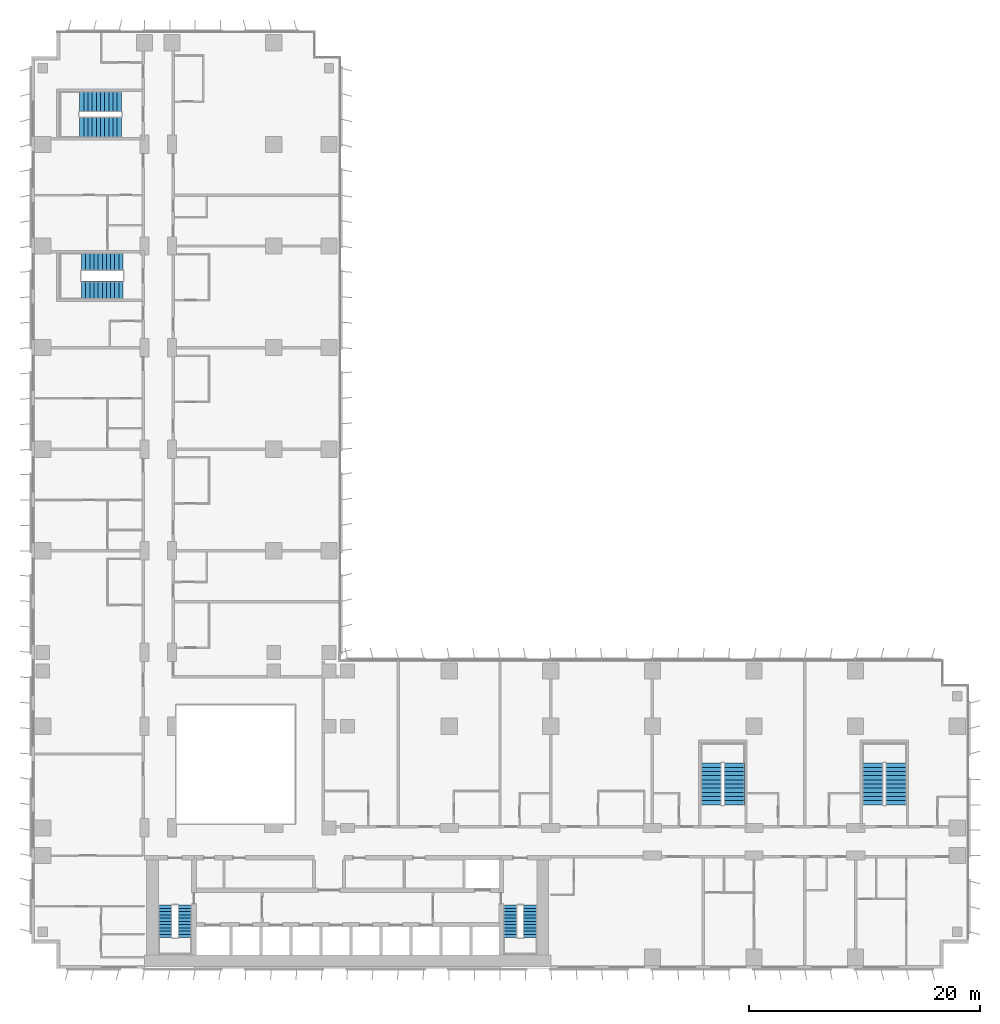
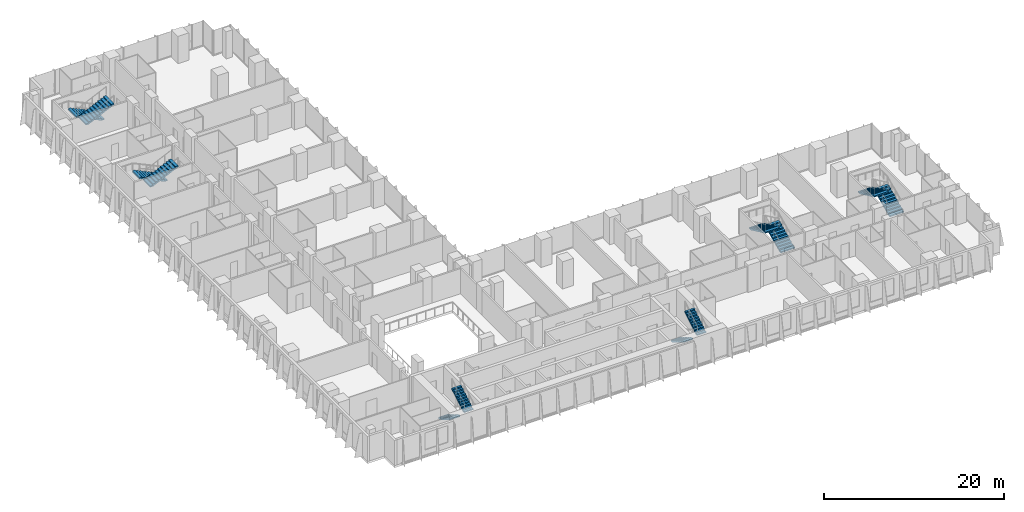
# One storey, part 20 of 24: 12 stair flights, 6 elements without a shape of their own.
"""IFC4 building model written with IfcOpenShell, lengths in metres."""

from ifc_helpers import new_model, si_unit, direction, frame, origin, place, context, subcontext, project, spatial, polyline, outline, extrude, material, type_object, element, aggregate, save


model = new_model("IFC4")

# Units and contexts
model_context = context("Model", 3, precision=1e-05, world=origin(), true_north=direction((0.0, 1.0)))
body_context = subcontext(model_context, "Body", "Model", "MODEL_VIEW")
ifc_project = project(units=[si_unit("LENGTHUNIT", "METRE"), si_unit("AREAUNIT", "SQUARE_METRE"), si_unit("VOLUMEUNIT", "CUBIC_METRE"), si_unit("PLANEANGLEUNIT", "RADIAN"), si_unit("MASSUNIT", "GRAM", prefix="KILO")], contexts=[model_context])

# Site, building, storey
site_placement = place(None, origin())
site = spatial("IfcSite", under=ifc_project, at=site_placement, CompositionType="ELEMENT")
building_placement = place(site_placement, origin())
building = spatial("IfcBuilding", under=site, at=building_placement, Name="Kemantara Hotel Tower", CompositionType="ELEMENT")
storey_placement = place(building_placement, frame((0.0, 0.0, 76.0)))
storey = spatial("IfcBuildingStorey", under=building, at=storey_placement, Name="L17", CompositionType="ELEMENT", Elevation=76.0)

# Stair, stair flights
ifc_material = material(Name="Concrete fc 40 MPa", Category="concrete")
stair_type_1 = type_object("IfcStairType", Name="Stair 1200 wide 22 risers of 168 x 280 mm", PredefinedType="HALF_TURN_STAIR", material=ifc_material)
stair_1_placement = place(storey_placement, origin())
stair_1 = element("IfcStair", 1, at=stair_1_placement, inside=storey, type_object=stair_type_1, Name="L17 Exit stair ST1", PredefinedType="HALF_TURN_STAIR")
stair_flight_type_1 = type_object("IfcStairFlightType", Name="Stair flight 1200 wide 168 x 280 mm", PredefinedType="STRAIGHT", material=ifc_material)
stair_flight_1_placement = place(storey_placement, frame((11.60009765625, 5.5, 0.0), z_axis=(0.0, 0.0, 1.0), x_axis=(0.0, -1.0, 0.0)))
stair_flight_1 = element("IfcStairFlight", 2, at=stair_flight_1_placement, type_object=stair_flight_type_1, Name="ST1 flight 1", NumberOfRisers=11, NumberOfTreads=10, PredefinedType="STRAIGHT", RiserHeight=0.168181818, TreadLength=0.28, context=body_context, shape_type="SweptSolid", body=[
    extrude(outline(polyline([(0.0, 0.0), (0.0, 0.168212890625), (0.280029296875, 0.168212890625), (0.280029296875, 0.33642578125), (0.56005859375, 0.33642578125), (0.56005859375, 0.504638671875), (0.840087890625, 0.504638671875), (0.840087890625, 0.672607421875), (1.1201171875, 0.672607421875), (1.1201171875, 0.8408203125), (1.39990234375, 0.8408203125), (1.39990234375, 1.009033203125), (1.679931640625, 1.009033203125), (1.679931640625, 1.17724609375), (1.9599609375, 1.17724609375), (1.9599609375, 1.345458984375), (2.239990234375, 1.345458984375), (2.239990234375, 1.513671875), (2.52001953125, 1.513671875), (2.52001953125, 1.681884765625), (2.800048828125, 1.681884765625), (2.800048828125, 1.85009765625), (2.800048828125, 1.5068359375), (0.291015625, 0.0), (0.0, 0.0)])), frame((0.0, 0.60009765625, 0.0), z_axis=(0.0, -1.0, 0.0), x_axis=(1.0, 0.0, 0.0)), (0.0, 0.0, 1.0), 1.199951171875),
])
stair_flight_2_placement = place(storey_placement, frame((13.300048828125, 2.699951171875, 1.85009765625), z_axis=(0.0, 0.0, 1.0), x_axis=(0.0, 1.0, 0.0)))
stair_flight_2 = element("IfcStairFlight", 3, at=stair_flight_2_placement, type_object=stair_flight_type_1, Name="ST1 flight 2", NumberOfRisers=11, NumberOfTreads=10, PredefinedType="STRAIGHT", RiserHeight=0.168181818, TreadLength=0.28, context=body_context, shape_type="SweptSolid", body=[
    extrude(outline(polyline([(0.0, 0.0), (0.0, 0.168212890625), (0.280029296875, 0.168212890625), (0.280029296875, 0.33642578125), (0.56005859375, 0.33642578125), (0.56005859375, 0.504638671875), (0.840087890625, 0.504638671875), (0.840087890625, 0.672607421875), (1.1201171875, 0.672607421875), (1.1201171875, 0.8408203125), (1.39990234375, 0.8408203125), (1.39990234375, 1.009033203125), (1.679931640625, 1.009033203125), (1.679931640625, 1.17724609375), (1.9599609375, 1.17724609375), (1.9599609375, 1.345458984375), (2.239990234375, 1.345458984375), (2.239990234375, 1.513671875), (2.52001953125, 1.513671875), (2.52001953125, 1.681884765625), (2.800048828125, 1.681884765625), (2.800048828125, 1.85009765625), (2.800048828125, 1.5068359375), (0.291015625, 0.0), (0.0, 0.0)])), frame((0.0, 0.60009765625, 0.0), z_axis=(0.0, -1.0, 0.0), x_axis=(1.0, 0.0, 0.0)), (0.0, 0.0, 1.0), 1.199951171875),
])
aggregate(stair_1, [stair_flight_1, stair_flight_2])

stair_2_placement = place(storey_placement, origin())
stair_2 = element("IfcStair", 4, at=stair_2_placement, inside=storey, type_object=stair_type_1, Name="L17 Exit stair ST2", PredefinedType="HALF_TURN_STAIR")
stair_flight_3_placement = place(storey_placement, frame((41.5, 5.5, 0.0), z_axis=(0.0, 0.0, 1.0), x_axis=(0.0, -1.0, 0.0)))
stair_flight_3 = element("IfcStairFlight", 5, at=stair_flight_3_placement, type_object=stair_flight_type_1, Name="ST2 flight 1", NumberOfRisers=11, NumberOfTreads=10, PredefinedType="STRAIGHT", RiserHeight=0.168181818, TreadLength=0.28, context=body_context, shape_type="SweptSolid", body=[
    extrude(outline(polyline([(0.0, 0.0), (0.0, 0.168212890625), (0.280029296875, 0.168212890625), (0.280029296875, 0.33642578125), (0.56005859375, 0.33642578125), (0.56005859375, 0.504638671875), (0.840087890625, 0.504638671875), (0.840087890625, 0.672607421875), (1.1201171875, 0.672607421875), (1.1201171875, 0.8408203125), (1.39990234375, 0.8408203125), (1.39990234375, 1.009033203125), (1.679931640625, 1.009033203125), (1.679931640625, 1.17724609375), (1.9599609375, 1.17724609375), (1.9599609375, 1.345458984375), (2.239990234375, 1.345458984375), (2.239990234375, 1.513671875), (2.52001953125, 1.513671875), (2.52001953125, 1.681884765625), (2.800048828125, 1.681884765625), (2.800048828125, 1.85009765625), (2.800048828125, 1.5068359375), (0.291015625, 0.0), (0.0, 0.0)])), frame((0.0, 0.60009765625, 0.0), z_axis=(0.0, -1.0, 0.0), x_axis=(1.0, 0.0, 0.0)), (0.0, 0.0, 1.0), 1.199951171875),
])
stair_flight_4_placement = place(storey_placement, frame((43.199951171875, 2.699951171875, 1.85009765625), z_axis=(0.0, 0.0, 1.0), x_axis=(0.0, 1.0, 0.0)))
stair_flight_4 = element("IfcStairFlight", 6, at=stair_flight_4_placement, type_object=stair_flight_type_1, Name="ST2 flight 2", NumberOfRisers=11, NumberOfTreads=10, PredefinedType="STRAIGHT", RiserHeight=0.168181818, TreadLength=0.28, context=body_context, shape_type="SweptSolid", body=[
    extrude(outline(polyline([(0.0, 0.0), (0.0, 0.168212890625), (0.280029296875, 0.168212890625), (0.280029296875, 0.33642578125), (0.56005859375, 0.33642578125), (0.56005859375, 0.504638671875), (0.840087890625, 0.504638671875), (0.840087890625, 0.672607421875), (1.1201171875, 0.672607421875), (1.1201171875, 0.8408203125), (1.39990234375, 0.8408203125), (1.39990234375, 1.009033203125), (1.679931640625, 1.009033203125), (1.679931640625, 1.17724609375), (1.9599609375, 1.17724609375), (1.9599609375, 1.345458984375), (2.239990234375, 1.345458984375), (2.239990234375, 1.513671875), (2.52001953125, 1.513671875), (2.52001953125, 1.681884765625), (2.800048828125, 1.681884765625), (2.800048828125, 1.85009765625), (2.800048828125, 1.5068359375), (0.291015625, 0.0), (0.0, 0.0)])), frame((0.0, 0.60009765625, 0.0), z_axis=(0.0, -1.0, 0.0), x_axis=(1.0, 0.0, 0.0)), (0.0, 0.0, 1.0), 1.199951171875),
])
aggregate(stair_2, [stair_flight_3, stair_flight_4])

stair_type_2 = type_object("IfcStairType", Name="Stair 1550 wide 22 risers of 168 x 360 mm", PredefinedType="HALF_TURN_STAIR", material=ifc_material)
stair_3_placement = place(storey_placement, origin())
stair_3 = element("IfcStair", 7, at=stair_3_placement, inside=storey, type_object=stair_type_2, Name="L17 Exit stair ST4", PredefinedType="HALF_TURN_STAIR")
stair_flight_type_2 = type_object("IfcStairFlightType", Name="Stair flight 1550 wide 168 x 360 mm", PredefinedType="STRAIGHT", material=ifc_material)
stair_flight_5_placement = place(storey_placement, frame((7.949951171875, 61.22509765625, 0.0), z_axis=(0.0, 0.0, 1.0), x_axis=(-1.0, 0.0, 0.0)))
stair_flight_5 = element("IfcStairFlight", 8, at=stair_flight_5_placement, type_object=stair_flight_type_2, Name="ST4 flight 1", NumberOfRisers=11, NumberOfTreads=10, PredefinedType="STRAIGHT", RiserHeight=0.168181818, TreadLength=0.36, context=body_context, shape_type="SweptSolid", body=[
    extrude(outline(polyline([(0.0, 0.0), (0.0, 0.168212890625), (0.360107421875, 0.168212890625), (0.360107421875, 0.33642578125), (0.719970703125, 0.33642578125), (0.719970703125, 0.504638671875), (1.080078125, 0.504638671875), (1.080078125, 0.672607421875), (1.43994140625, 0.672607421875), (1.43994140625, 0.8408203125), (1.800048828125, 0.8408203125), (1.800048828125, 1.009033203125), (2.159912109375, 1.009033203125), (2.159912109375, 1.17724609375), (2.52001953125, 1.17724609375), (2.52001953125, 1.345458984375), (2.8798828125, 1.345458984375), (2.8798828125, 1.513671875), (3.239990234375, 1.513671875), (3.239990234375, 1.681884765625), (3.60009765625, 1.681884765625), (3.60009765625, 1.85009765625), (3.60009765625, 1.516357421875), (0.354248046875, 0.0), (0.0, 0.0)])), frame((0.0, 0.77490234375, 0.0), z_axis=(0.0, -1.0, 0.0), x_axis=(1.0, 0.0, 0.0)), (0.0, 0.0, 1.0), 1.550048828125),
])
stair_flight_6_placement = place(storey_placement, frame((4.35009765625, 58.77490234375, 1.85009765625), z_axis=(0.0, 0.0, 1.0), x_axis=(1.0, 0.0, 0.0)))
stair_flight_6 = element("IfcStairFlight", 9, at=stair_flight_6_placement, type_object=stair_flight_type_2, Name="ST4 flight 2", NumberOfRisers=11, NumberOfTreads=10, PredefinedType="STRAIGHT", RiserHeight=0.168181818, TreadLength=0.36, context=body_context, shape_type="SweptSolid", body=[
    extrude(outline(polyline([(0.0, 0.0), (0.0, 0.168212890625), (0.360107421875, 0.168212890625), (0.360107421875, 0.33642578125), (0.719970703125, 0.33642578125), (0.719970703125, 0.504638671875), (1.080078125, 0.504638671875), (1.080078125, 0.672607421875), (1.43994140625, 0.672607421875), (1.43994140625, 0.8408203125), (1.800048828125, 0.8408203125), (1.800048828125, 1.009033203125), (2.159912109375, 1.009033203125), (2.159912109375, 1.17724609375), (2.52001953125, 1.17724609375), (2.52001953125, 1.345458984375), (2.8798828125, 1.345458984375), (2.8798828125, 1.513671875), (3.239990234375, 1.513671875), (3.239990234375, 1.681884765625), (3.60009765625, 1.681884765625), (3.60009765625, 1.85009765625), (3.60009765625, 1.516357421875), (0.354248046875, 0.0), (0.0, 0.0)])), frame((0.0, 0.77490234375, 0.0), z_axis=(0.0, -1.0, 0.0), x_axis=(1.0, 0.0, 0.0)), (0.0, 0.0, 1.0), 1.550048828125),
])
aggregate(stair_3, [stair_flight_5, stair_flight_6])

stair_type_3 = type_object("IfcStairType", Name="Stair 1800 wide 22 risers of 168 x 360 mm", PredefinedType="HALF_TURN_STAIR", material=ifc_material)
stair_4_placement = place(storey_placement, origin())
stair_4 = element("IfcStair", 10, at=stair_4_placement, inside=storey, type_object=stair_type_3, Name="L17 Exit stair ST3", PredefinedType="HALF_TURN_STAIR")
stair_flight_type_3 = type_object("IfcStairFlightType", Name="Stair flight 1800 wide 168 x 360 mm", PredefinedType="STRAIGHT", material=ifc_material)
stair_flight_7_placement = place(storey_placement, frame((60.89990234375, 14.199951171875, 0.0), z_axis=(0.0, 0.0, 1.0), x_axis=(0.0, 1.0, 0.0)))
stair_flight_7 = element("IfcStairFlight", 11, at=stair_flight_7_placement, type_object=stair_flight_type_3, Name="ST3 flight 1", NumberOfRisers=11, NumberOfTreads=10, PredefinedType="STRAIGHT", RiserHeight=0.168181818, TreadLength=0.36, context=body_context, shape_type="SweptSolid", body=[
    extrude(outline(polyline([(0.0, 0.0), (0.0, 0.168212890625), (0.360107421875, 0.168212890625), (0.360107421875, 0.33642578125), (0.719970703125, 0.33642578125), (0.719970703125, 0.504638671875), (1.080078125, 0.504638671875), (1.080078125, 0.672607421875), (1.43994140625, 0.672607421875), (1.43994140625, 0.8408203125), (1.800048828125, 0.8408203125), (1.800048828125, 1.009033203125), (2.159912109375, 1.009033203125), (2.159912109375, 1.17724609375), (2.52001953125, 1.17724609375), (2.52001953125, 1.345458984375), (2.8798828125, 1.345458984375), (2.8798828125, 1.513671875), (3.239990234375, 1.513671875), (3.239990234375, 1.681884765625), (3.60009765625, 1.681884765625), (3.60009765625, 1.85009765625), (3.60009765625, 1.516357421875), (0.354248046875, 0.0), (0.0, 0.0)])), frame((0.0, 0.89990234375, 0.0), z_axis=(0.0, -1.0, 0.0), x_axis=(1.0, 0.0, 0.0)), (0.0, 0.0, 1.0), 1.800048828125),
])
stair_flight_8_placement = place(storey_placement, frame((58.89990234375, 17.800048828125, 1.85009765625), z_axis=(0.0, 0.0, 1.0), x_axis=(0.0, -1.0, 0.0)))
stair_flight_8 = element("IfcStairFlight", 12, at=stair_flight_8_placement, type_object=stair_flight_type_3, Name="ST3 flight 2", NumberOfRisers=11, NumberOfTreads=10, PredefinedType="STRAIGHT", RiserHeight=0.168181818, TreadLength=0.36, context=body_context, shape_type="SweptSolid", body=[
    extrude(outline(polyline([(0.0, 0.0), (0.0, 0.168212890625), (0.360107421875, 0.168212890625), (0.360107421875, 0.33642578125), (0.719970703125, 0.33642578125), (0.719970703125, 0.504638671875), (1.080078125, 0.504638671875), (1.080078125, 0.672607421875), (1.43994140625, 0.672607421875), (1.43994140625, 0.8408203125), (1.800048828125, 0.8408203125), (1.800048828125, 1.009033203125), (2.159912109375, 1.009033203125), (2.159912109375, 1.17724609375), (2.52001953125, 1.17724609375), (2.52001953125, 1.345458984375), (2.8798828125, 1.345458984375), (2.8798828125, 1.513671875), (3.239990234375, 1.513671875), (3.239990234375, 1.681884765625), (3.60009765625, 1.681884765625), (3.60009765625, 1.85009765625), (3.60009765625, 1.516357421875), (0.354248046875, 0.0), (0.0, 0.0)])), frame((0.0, 0.89990234375, 0.0), z_axis=(0.0, -1.0, 0.0), x_axis=(1.0, 0.0, 0.0)), (0.0, 0.0, 1.0), 1.800048828125),
])
aggregate(stair_4, [stair_flight_7, stair_flight_8])

stair_5_placement = place(storey_placement, origin())
stair_5 = element("IfcStair", 13, at=stair_5_placement, inside=storey, type_object=stair_type_3, Name="L17 Exit stair ST5", PredefinedType="HALF_TURN_STAIR")
stair_flight_9_placement = place(storey_placement, frame((74.89990234375, 14.199951171875, 0.0), z_axis=(0.0, 0.0, 1.0), x_axis=(0.0, 1.0, 0.0)))
stair_flight_9 = element("IfcStairFlight", 14, at=stair_flight_9_placement, type_object=stair_flight_type_3, Name="ST5 flight 1", NumberOfRisers=11, NumberOfTreads=10, PredefinedType="STRAIGHT", RiserHeight=0.168181818, TreadLength=0.36, context=body_context, shape_type="SweptSolid", body=[
    extrude(outline(polyline([(0.0, 0.0), (0.0, 0.168212890625), (0.360107421875, 0.168212890625), (0.360107421875, 0.33642578125), (0.719970703125, 0.33642578125), (0.719970703125, 0.504638671875), (1.080078125, 0.504638671875), (1.080078125, 0.672607421875), (1.43994140625, 0.672607421875), (1.43994140625, 0.8408203125), (1.800048828125, 0.8408203125), (1.800048828125, 1.009033203125), (2.159912109375, 1.009033203125), (2.159912109375, 1.17724609375), (2.52001953125, 1.17724609375), (2.52001953125, 1.345458984375), (2.8798828125, 1.345458984375), (2.8798828125, 1.513671875), (3.239990234375, 1.513671875), (3.239990234375, 1.681884765625), (3.60009765625, 1.681884765625), (3.60009765625, 1.85009765625), (3.60009765625, 1.516357421875), (0.354248046875, 0.0), (0.0, 0.0)])), frame((0.0, 0.89990234375, 0.0), z_axis=(0.0, -1.0, 0.0), x_axis=(1.0, 0.0, 0.0)), (0.0, 0.0, 1.0), 1.800048828125),
])
stair_flight_10_placement = place(storey_placement, frame((72.89990234375, 17.800048828125, 1.85009765625), z_axis=(0.0, 0.0, 1.0), x_axis=(0.0, -1.0, 0.0)))
stair_flight_10 = element("IfcStairFlight", 15, at=stair_flight_10_placement, type_object=stair_flight_type_3, Name="ST5 flight 2", NumberOfRisers=11, NumberOfTreads=10, PredefinedType="STRAIGHT", RiserHeight=0.168181818, TreadLength=0.36, context=body_context, shape_type="SweptSolid", body=[
    extrude(outline(polyline([(0.0, 0.0), (0.0, 0.168212890625), (0.360107421875, 0.168212890625), (0.360107421875, 0.33642578125), (0.719970703125, 0.33642578125), (0.719970703125, 0.504638671875), (1.080078125, 0.504638671875), (1.080078125, 0.672607421875), (1.43994140625, 0.672607421875), (1.43994140625, 0.8408203125), (1.800048828125, 0.8408203125), (1.800048828125, 1.009033203125), (2.159912109375, 1.009033203125), (2.159912109375, 1.17724609375), (2.52001953125, 1.17724609375), (2.52001953125, 1.345458984375), (2.8798828125, 1.345458984375), (2.8798828125, 1.513671875), (3.239990234375, 1.513671875), (3.239990234375, 1.681884765625), (3.60009765625, 1.681884765625), (3.60009765625, 1.85009765625), (3.60009765625, 1.516357421875), (0.354248046875, 0.0), (0.0, 0.0)])), frame((0.0, 0.89990234375, 0.0), z_axis=(0.0, -1.0, 0.0), x_axis=(1.0, 0.0, 0.0)), (0.0, 0.0, 1.0), 1.800048828125),
])
aggregate(stair_5, [stair_flight_9, stair_flight_10])

stair_6_placement = place(storey_placement, origin())
stair_6 = element("IfcStair", 16, at=stair_6_placement, inside=storey, type_object=stair_type_3, Name="L17 Exit stair ST6", PredefinedType="HALF_TURN_STAIR")
stair_flight_11_placement = place(storey_placement, frame((7.800048828125, 75.10009765625, 0.0), z_axis=(0.0, 0.0, 1.0), x_axis=(-1.0, 0.0, 0.0)))
stair_flight_11 = element("IfcStairFlight", 17, at=stair_flight_11_placement, type_object=stair_flight_type_3, Name="ST6 flight 1", NumberOfRisers=11, NumberOfTreads=10, PredefinedType="STRAIGHT", RiserHeight=0.168181818, TreadLength=0.36, context=body_context, shape_type="SweptSolid", body=[
    extrude(outline(polyline([(0.0, 0.0), (0.0, 0.168212890625), (0.360107421875, 0.168212890625), (0.360107421875, 0.33642578125), (0.719970703125, 0.33642578125), (0.719970703125, 0.504638671875), (1.080078125, 0.504638671875), (1.080078125, 0.672607421875), (1.43994140625, 0.672607421875), (1.43994140625, 0.8408203125), (1.800048828125, 0.8408203125), (1.800048828125, 1.009033203125), (2.159912109375, 1.009033203125), (2.159912109375, 1.17724609375), (2.52001953125, 1.17724609375), (2.52001953125, 1.345458984375), (2.8798828125, 1.345458984375), (2.8798828125, 1.513671875), (3.239990234375, 1.513671875), (3.239990234375, 1.681884765625), (3.60009765625, 1.681884765625), (3.60009765625, 1.85009765625), (3.60009765625, 1.516357421875), (0.354248046875, 0.0), (0.0, 0.0)])), frame((0.0, 0.89990234375, 0.0), z_axis=(0.0, -1.0, 0.0), x_axis=(1.0, 0.0, 0.0)), (0.0, 0.0, 1.0), 1.800048828125),
])
stair_flight_12_placement = place(storey_placement, frame((4.199951171875, 72.89990234375, 1.85009765625), z_axis=(0.0, 0.0, 1.0), x_axis=(1.0, 0.0, 0.0)))
stair_flight_12 = element("IfcStairFlight", 18, at=stair_flight_12_placement, type_object=stair_flight_type_3, Name="ST6 flight 2", NumberOfRisers=11, NumberOfTreads=10, PredefinedType="STRAIGHT", RiserHeight=0.168181818, TreadLength=0.36, context=body_context, shape_type="SweptSolid", body=[
    extrude(outline(polyline([(0.0, 0.0), (0.0, 0.168212890625), (0.360107421875, 0.168212890625), (0.360107421875, 0.33642578125), (0.719970703125, 0.33642578125), (0.719970703125, 0.504638671875), (1.080078125, 0.504638671875), (1.080078125, 0.672607421875), (1.43994140625, 0.672607421875), (1.43994140625, 0.8408203125), (1.800048828125, 0.8408203125), (1.800048828125, 1.009033203125), (2.159912109375, 1.009033203125), (2.159912109375, 1.17724609375), (2.52001953125, 1.17724609375), (2.52001953125, 1.345458984375), (2.8798828125, 1.345458984375), (2.8798828125, 1.513671875), (3.239990234375, 1.513671875), (3.239990234375, 1.681884765625), (3.60009765625, 1.681884765625), (3.60009765625, 1.85009765625), (3.60009765625, 1.516357421875), (0.354248046875, 0.0), (0.0, 0.0)])), frame((0.0, 0.89990234375, 0.0), z_axis=(0.0, -1.0, 0.0), x_axis=(1.0, 0.0, 0.0)), (0.0, 0.0, 1.0), 1.800048828125),
])
aggregate(stair_6, [stair_flight_11, stair_flight_12])

save(model, "model.ifc")
